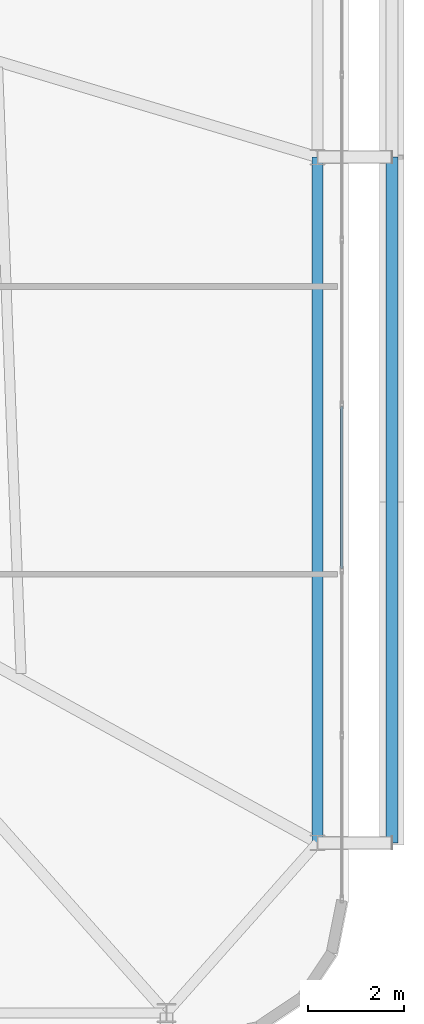
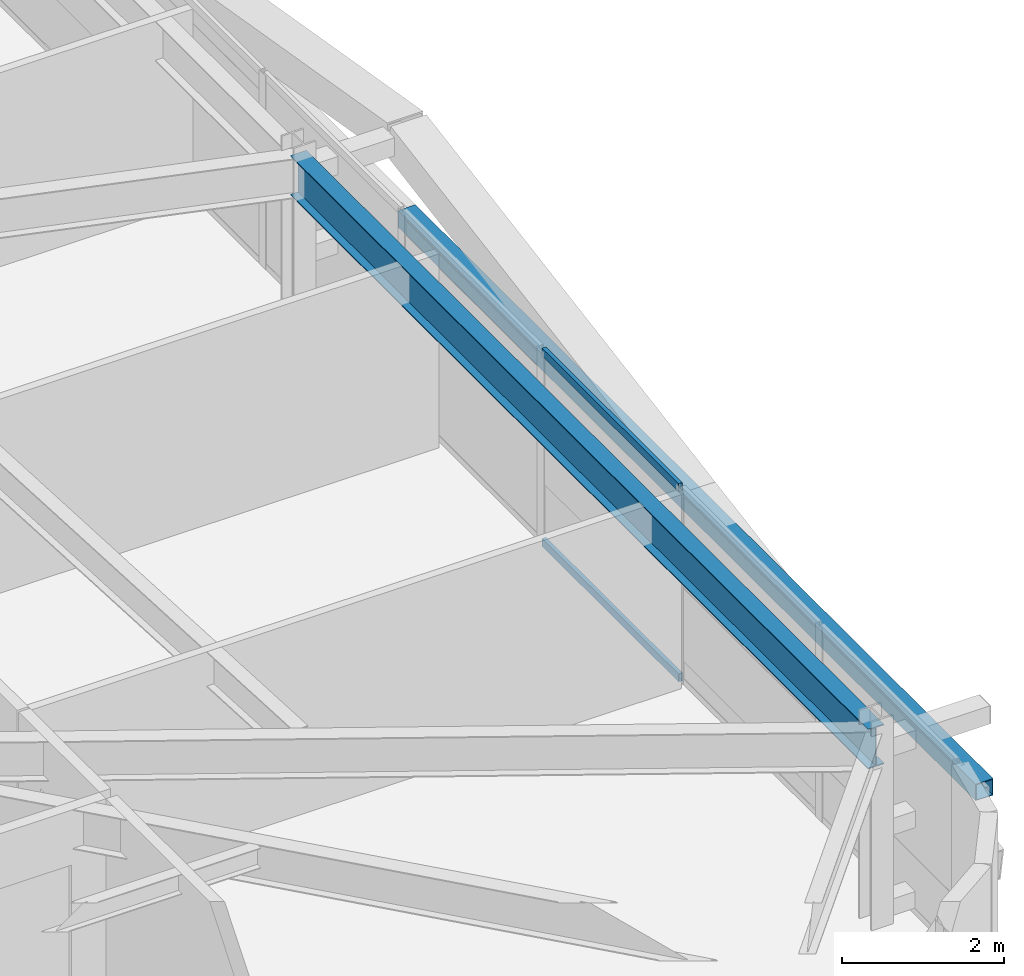
# One storey, part 27 of 59: 3 members, 1 beam, 1 element without a shape of its own.
"""IFC4 building model written with IfcOpenShell, lengths in metres."""

from ifc_helpers import new_model, si_unit, direction, frame, origin, origin_2d, place, context, subcontext, project, spatial, hollow_rectangle, i_section, extrude, source, transform, mapped, material, layer, layer_set, material_profile, profile_set, type_object, element, aggregate, save


model = new_model("IFC4")

# Units and contexts
model_context = context("Model", 3, precision=1e-05, world=origin(), true_north=direction((0.0, 1.0)))
body_context = subcontext(model_context, "Body", "Model", "MODEL_VIEW")
ifc_project = project(units=[si_unit("LENGTHUNIT", "METRE"), si_unit("AREAUNIT", "SQUARE_METRE"), si_unit("VOLUMEUNIT", "CUBIC_METRE"), si_unit("PLANEANGLEUNIT", "RADIAN"), si_unit("MASSUNIT", "GRAM", prefix="KILO")], contexts=[model_context])

# Site, building, storey
site_placement = place(None, origin())
site = spatial("IfcSite", under=ifc_project, at=site_placement, CompositionType="ELEMENT")
building_placement = place(site_placement, origin())
building = spatial("IfcBuilding", under=site, at=building_placement, Name="Taldren Reach Tower", CompositionType="ELEMENT")
storey_placement = place(building_placement, frame((0.0, 0.0, 29.39990234375)))
storey = spatial("IfcBuildingStorey", under=building, at=storey_placement, Name="L08", CompositionType="ELEMENT", Elevation=29.39990234375)

# Beam
ifc_material_1 = material(Name="Steel Gr 350 (350PLUS)", Category="steel")
ifc_material_profile_1 = material_profile(ifc_material_1, i_section(OverallWidth=0.22802734375, OverallDepth=0.60205078125, WebThickness=0.010498046875, FlangeThickness=0.014892578125, at=origin_2d()), Name="610UB101")
ifc_profile_set_1 = profile_set([ifc_material_profile_1], Name="Steel Gr 350 (350PLUS)")
beam_type = type_object("IfcBeamType", Name="BM-UB610B", PredefinedType="BEAM", material=ifc_profile_set_1)
shared_shape_1 = source(origin(), body_context, "Body", "SweptSolid", [
    extrude(i_section(OverallWidth=0.22802734375, OverallDepth=0.60205078125, WebThickness=0.010498046875, FlangeThickness=0.014892578125, at=origin_2d()), origin(), (0.0, 0.0, 1.0), 14.300048828125),
])
beam_placement = place(storey_placement, frame((64.35009765625, 5.699951171875, 2.629150390625), z_axis=(0.0, 1.0, 0.0), x_axis=(-1.0, 0.0, 0.0)))
element("IfcBeam", 1, at=beam_placement, inside=storey, type_object=beam_type, Name="Perimeter gable girder B1 E1-E2 L08", PredefinedType="BEAM", context=body_context, shape_type="MappedRepresentation", body=[
    mapped(shared_shape_1, transform((0.0, 0.0, 0.0), scale=1.0)),
])

# Member
ifc_material_2 = material(Name="Steel Gr 350 (C350L0)", Category="steel")
ifc_material_profile_2 = material_profile(ifc_material_2, hollow_rectangle(XDim=0.25, YDim=0.25, WallThickness=0.010009765625, at=origin_2d()), Name="250x250x10.0SHS")
ifc_profile_set_2 = profile_set([ifc_material_profile_2], Name="Steel Gr 350 (C350L0)")
member_type_1 = type_object("IfcMemberType", Name="MB-POST250", PredefinedType="POST", material=ifc_profile_set_2)
shared_shape_2 = source(origin(), body_context, "Body", "SweptSolid", [
    extrude(hollow_rectangle(XDim=0.25, YDim=0.25, WallThickness=0.010009765625, at=origin_2d()), origin(), (0.0, 0.0, 1.0), 14.300048828125),
])
member_1_placement = place(storey_placement, frame((65.89990234375, 5.699951171875, 1.43505859375), z_axis=(0.0, 1.0, 0.0), x_axis=(-1.0, 0.0, 0.0)))
element("IfcMember", 2, at=member_1_placement, inside=storey, type_object=member_type_1, Name="Exoskeleton mid-height ring chord B1-E1 L08", PredefinedType="POST", context=body_context, shape_type="MappedRepresentation", body=[
    mapped(shared_shape_2, transform((0.0, 0.0, 0.0), scale=1.0)),
])

# Curtain wall, members
ifc_material_3 = material(Name="Aluminium and Low-E Glass Unitised System", Category="aluminium")
ifc_layer = layer(ifc_material_3, 0.159912109375)
ifc_layer_set = layer_set([ifc_layer], Name="Aluminium and Low-E Glass Unitised System")
curtain_wall_type = type_object("IfcCurtainWallType", Name="CW-SYS-2", PredefinedType="NOTDEFINED", material=ifc_layer_set)
curtain_wall_placement = place(storey_placement, origin())
curtain_wall = element("IfcCurtainWall", 3, at=curtain_wall_placement, inside=storey, type_object=curtain_wall_type, Name="Unitised curtain wall CW-L08-E", PredefinedType="NOTDEFINED")
ifc_material_4 = material(Name="Anodised Aluminium 6063-T6", Category="aluminium")
ifc_material_profile_3 = material_profile(ifc_material_4, hollow_rectangle(XDim=0.054931640625, YDim=0.1201171875, WallThickness=0.0029296875, at=origin_2d()), Name="ALU-120x55x3RHS")
ifc_profile_set_3 = profile_set([ifc_material_profile_3], Name="Anodised Aluminium 6063-T6")
member_type_2 = type_object("IfcMemberType", Name="CW-TRN-135", PredefinedType="USERDEFINED", material=ifc_profile_set_3)
shared_shape_3 = source(origin(), body_context, "Body", "SweptSolid", [
    extrude(hollow_rectangle(XDim=0.054931640625, YDim=0.1201171875, WallThickness=0.0029296875, at=origin_2d()), origin(), (0.0, 0.0, 1.0), 3.37939453125),
])
member_2_placement = place(storey_placement, frame((64.860107421875, 11.42138671875, 0.027587890625), z_axis=(0.0, 1.0, 0.0), x_axis=(-1.0, 0.0, 0.0)))
member_2 = element("IfcMember", 4, at=member_2_placement, type_object=member_type_2, Name="CW-2 transom 3.1", ObjectType="TRANSOM", PredefinedType="USERDEFINED", context=body_context, shape_type="MappedRepresentation", body=[
    mapped(shared_shape_3, transform((0.0, 0.0, 0.0), scale=1.0)),
])
member_3_placement = place(storey_placement, frame((64.860107421875, 11.42138671875, 2.902587890625), z_axis=(0.0, 1.0, 0.0), x_axis=(-1.0, 0.0, 0.0)))
member_3 = element("IfcMember", 5, at=member_3_placement, type_object=member_type_2, Name="CW-2 transom 3.2", ObjectType="TRANSOM", PredefinedType="USERDEFINED", context=body_context, shape_type="MappedRepresentation", body=[
    mapped(shared_shape_3, transform((0.0, 0.0, 0.0), scale=1.0)),
])
aggregate(curtain_wall, [member_2, member_3])

save(model, "model.ifc")
